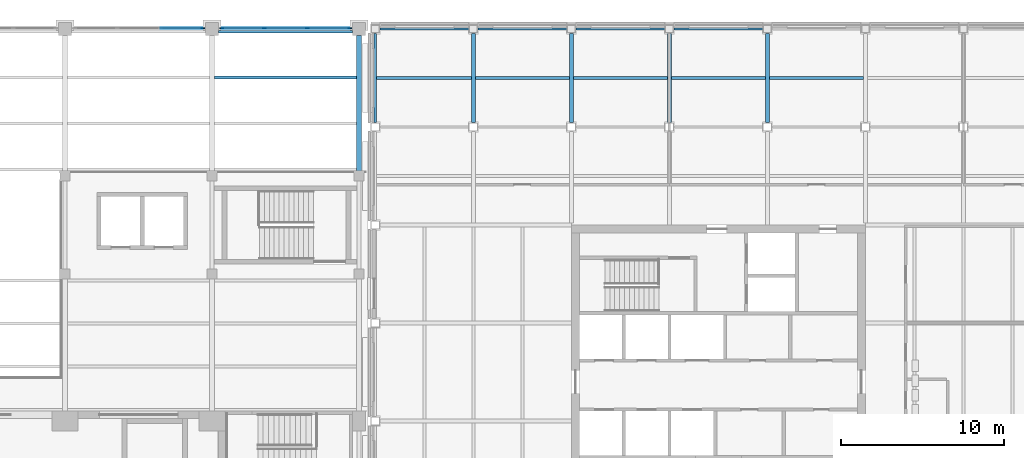
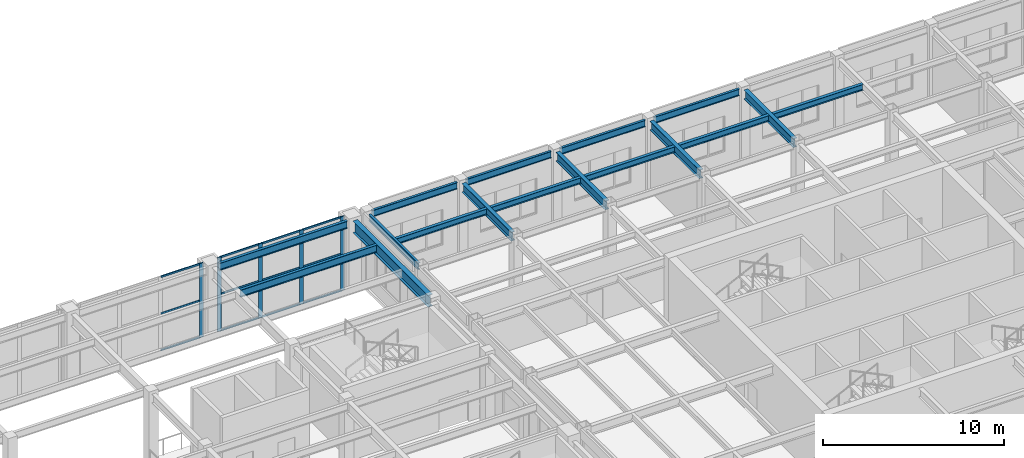
# One storey, part 26 of 76: 17 beams, 17 members, 2 elements without a shape of their own.
"""IFC4 building model written with IfcOpenShell, lengths in metres."""

from ifc_helpers import new_model, si_unit, direction, frame, origin, origin_2d, place, context, subcontext, project, spatial, rectangle, i_section, extrude, material, material_profile, profile_set, type_object, element, aggregate, save


model = new_model("IFC4")

# Units and contexts
model_context = context("Model", 3, precision=1e-05, world=origin(), true_north=direction((0.0, 1.0)))
body_context = subcontext(model_context, "Body", "Model", "MODEL_VIEW")
ifc_project = project(units=[si_unit("LENGTHUNIT", "METRE"), si_unit("AREAUNIT", "SQUARE_METRE"), si_unit("VOLUMEUNIT", "CUBIC_METRE"), si_unit("PLANEANGLEUNIT", "RADIAN"), si_unit("MASSUNIT", "GRAM", prefix="KILO")], contexts=[model_context])

# Site, building, storey
site_placement = place(None, origin())
site = spatial("IfcSite", under=ifc_project, at=site_placement, CompositionType="ELEMENT")
building_placement = place(site_placement, origin())
building = spatial("IfcBuilding", under=site, at=building_placement, Name="Aravalli Gate Trade Fair Centre", CompositionType="ELEMENT")
storey_placement = place(building_placement, frame((0.0, 0.0, 10.0)))
storey = spatial("IfcBuildingStorey", under=building, at=storey_placement, Name="L02", CompositionType="ELEMENT", Elevation=10.0)

# Curtain wall, member
ifc_material_1 = material(Name="Aluminium and glass", Category="aluminium")
curtain_wall_type = type_object("IfcCurtainWallType", Name="Curtain wall 3000 module, tall", PredefinedType="NOTDEFINED", material=ifc_material_1)
curtain_wall_1_placement = place(storey_placement, origin())
curtain_wall_1 = element("IfcCurtainWall", 1, at=curtain_wall_1_placement, inside=storey, type_object=curtain_wall_type, Name="Curtain wall north bay 17 L02", PredefinedType="NOTDEFINED")
ifc_material_2 = material(Name="Aluminium", Category="aluminium")
ifc_material_profile_1 = material_profile(ifc_material_2, rectangle(XDim=0.06005859375, YDim=0.25, at=origin_2d()), Name="Concourse curtain wall mullion 60 x 250")
ifc_profile_set_1 = profile_set([ifc_material_profile_1], Name="Aluminium")
member_type_1 = type_object("IfcMemberType", Name="Concourse curtain wall mullion 60 x 250", PredefinedType="MULLION", material=ifc_profile_set_1)
member_1_placement = place(storey_placement, frame((149.419921875, 133.044921875, 0.0), z_axis=(0.0, 0.0, 1.0), x_axis=(0.0, 1.0, 0.0)))
member_1 = element("IfcMember", 2, at=member_1_placement, type_object=member_type_1, Name="CW3 mullion 4", PredefinedType="MULLION", context=body_context, shape_type="SweptSolid", body=[
    extrude(rectangle(XDim=0.06005859375, YDim=0.25, at=origin_2d()), origin(), (0.0, 0.0, 1.0), 5.0),
])

# Curtain wall, members
curtain_wall_2_placement = place(storey_placement, origin())
curtain_wall_2 = element("IfcCurtainWall", 3, at=curtain_wall_2_placement, inside=storey, type_object=curtain_wall_type, Name="Curtain wall north bay 18 L02", PredefinedType="NOTDEFINED")
member_2_placement = place(storey_placement, frame((150.580078125, 133.044921875, 0.0), z_axis=(0.0, 0.0, 1.0), x_axis=(0.0, 1.0, 0.0)))
member_2 = element("IfcMember", 4, at=member_2_placement, type_object=member_type_1, Name="CW3 mullion 1", PredefinedType="MULLION", context=body_context, shape_type="SweptSolid", body=[
    extrude(rectangle(XDim=0.06005859375, YDim=0.25, at=origin_2d()), origin(), (0.0, 0.0, 1.0), 5.0),
])
member_3_placement = place(storey_placement, frame((153.183349609375, 133.044921875, 0.0), z_axis=(0.0, 0.0, 1.0), x_axis=(0.0, 1.0, 0.0)))
member_3 = element("IfcMember", 5, at=member_3_placement, type_object=member_type_1, Name="CW3 mullion 2", PredefinedType="MULLION", context=body_context, shape_type="SweptSolid", body=[
    extrude(rectangle(XDim=0.06005859375, YDim=0.25, at=origin_2d()), origin(), (0.0, 0.0, 1.0), 5.0),
])
member_4_placement = place(storey_placement, frame((155.816650390625, 133.044921875, 0.0), z_axis=(0.0, 0.0, 1.0), x_axis=(0.0, 1.0, 0.0)))
member_4 = element("IfcMember", 6, at=member_4_placement, type_object=member_type_1, Name="CW3 mullion 3", PredefinedType="MULLION", context=body_context, shape_type="SweptSolid", body=[
    extrude(rectangle(XDim=0.06005859375, YDim=0.25, at=origin_2d()), origin(), (0.0, 0.0, 1.0), 5.0),
])
member_5_placement = place(storey_placement, frame((158.419921875, 133.044921875, 0.0), z_axis=(0.0, 0.0, 1.0), x_axis=(0.0, 1.0, 0.0)))
member_5 = element("IfcMember", 7, at=member_5_placement, type_object=member_type_1, Name="CW3 mullion 4", PredefinedType="MULLION", context=body_context, shape_type="SweptSolid", body=[
    extrude(rectangle(XDim=0.06005859375, YDim=0.25, at=origin_2d()), origin(), (0.0, 0.0, 1.0), 5.0),
])

# Member
ifc_material_profile_2 = material_profile(ifc_material_2, rectangle(XDim=0.06005859375, YDim=0.1201171875, at=origin_2d()), Name="Concourse curtain wall transom 60 x 120")
ifc_profile_set_2 = profile_set([ifc_material_profile_2], Name="Aluminium")
member_type_2 = type_object("IfcMemberType", Name="Concourse curtain wall transom 60 x 120", PredefinedType="USERDEFINED", material=ifc_profile_set_2)
member_6_placement = place(storey_placement, frame((146.8466796875, 133.044921875, 0.030029296875), z_axis=(1.0, 0.0, 0.0), x_axis=(0.0, 1.0, 0.0)))
member_6 = element("IfcMember", 8, at=member_6_placement, type_object=member_type_2, Name="CW3 transom 3.1", ObjectType="TRANSOM", PredefinedType="USERDEFINED", context=body_context, shape_type="SweptSolid", body=[
    extrude(rectangle(XDim=0.06005859375, YDim=0.1201171875, at=origin_2d()), origin(), (0.0, 0.0, 1.0), 2.543212890625),
])

member_7_placement = place(storey_placement, frame((146.8466796875, 133.044921875, 2.5), z_axis=(1.0, 0.0, 0.0), x_axis=(0.0, 1.0, 0.0)))
member_7 = element("IfcMember", 9, at=member_7_placement, type_object=member_type_2, Name="CW3 transom 3.2", ObjectType="TRANSOM", PredefinedType="USERDEFINED", context=body_context, shape_type="SweptSolid", body=[
    extrude(rectangle(XDim=0.06005859375, YDim=0.1201171875, at=origin_2d()), origin(), (0.0, 0.0, 1.0), 2.543212890625),
])

member_8_placement = place(storey_placement, frame((146.8466796875, 133.044921875, 4.969970703125), z_axis=(1.0, 0.0, 0.0), x_axis=(0.0, 1.0, 0.0)))
member_8 = element("IfcMember", 10, at=member_8_placement, type_object=member_type_2, Name="CW3 transom 3.3", ObjectType="TRANSOM", PredefinedType="USERDEFINED", context=body_context, shape_type="SweptSolid", body=[
    extrude(rectangle(XDim=0.06005859375, YDim=0.1201171875, at=origin_2d()), origin(), (0.0, 0.0, 1.0), 2.543212890625),
])

aggregate(curtain_wall_1, [member_1, member_6, member_7, member_8])

member_9_placement = place(storey_placement, frame((150.610107421875, 133.044921875, 0.030029296875), z_axis=(1.0, 0.0, 0.0), x_axis=(0.0, 1.0, 0.0)))
member_9 = element("IfcMember", 11, at=member_9_placement, type_object=member_type_2, Name="CW3 transom 1.1", ObjectType="TRANSOM", PredefinedType="USERDEFINED", context=body_context, shape_type="SweptSolid", body=[
    extrude(rectangle(XDim=0.06005859375, YDim=0.1201171875, at=origin_2d()), origin(), (0.0, 0.0, 1.0), 2.543212890625),
])

member_10_placement = place(storey_placement, frame((150.610107421875, 133.044921875, 2.5), z_axis=(1.0, 0.0, 0.0), x_axis=(0.0, 1.0, 0.0)))
member_10 = element("IfcMember", 12, at=member_10_placement, type_object=member_type_2, Name="CW3 transom 1.2", ObjectType="TRANSOM", PredefinedType="USERDEFINED", context=body_context, shape_type="SweptSolid", body=[
    extrude(rectangle(XDim=0.06005859375, YDim=0.1201171875, at=origin_2d()), origin(), (0.0, 0.0, 1.0), 2.543212890625),
])

member_11_placement = place(storey_placement, frame((150.610107421875, 133.044921875, 4.969970703125), z_axis=(1.0, 0.0, 0.0), x_axis=(0.0, 1.0, 0.0)))
member_11 = element("IfcMember", 13, at=member_11_placement, type_object=member_type_2, Name="CW3 transom 1.3", ObjectType="TRANSOM", PredefinedType="USERDEFINED", context=body_context, shape_type="SweptSolid", body=[
    extrude(rectangle(XDim=0.06005859375, YDim=0.1201171875, at=origin_2d()), origin(), (0.0, 0.0, 1.0), 2.543212890625),
])

member_12_placement = place(storey_placement, frame((153.21337890625, 133.044921875, 0.030029296875), z_axis=(1.0, 0.0, 0.0), x_axis=(0.0, 1.0, 0.0)))
member_12 = element("IfcMember", 14, at=member_12_placement, type_object=member_type_2, Name="CW3 transom 2.1", ObjectType="TRANSOM", PredefinedType="USERDEFINED", context=body_context, shape_type="SweptSolid", body=[
    extrude(rectangle(XDim=0.06005859375, YDim=0.1201171875, at=origin_2d()), origin(), (0.0, 0.0, 1.0), 2.5732421875),
])

member_13_placement = place(storey_placement, frame((153.21337890625, 133.044921875, 2.5), z_axis=(1.0, 0.0, 0.0), x_axis=(0.0, 1.0, 0.0)))
member_13 = element("IfcMember", 15, at=member_13_placement, type_object=member_type_2, Name="CW3 transom 2.2", ObjectType="TRANSOM", PredefinedType="USERDEFINED", context=body_context, shape_type="SweptSolid", body=[
    extrude(rectangle(XDim=0.06005859375, YDim=0.1201171875, at=origin_2d()), origin(), (0.0, 0.0, 1.0), 2.5732421875),
])

member_14_placement = place(storey_placement, frame((153.21337890625, 133.044921875, 4.969970703125), z_axis=(1.0, 0.0, 0.0), x_axis=(0.0, 1.0, 0.0)))
member_14 = element("IfcMember", 16, at=member_14_placement, type_object=member_type_2, Name="CW3 transom 2.3", ObjectType="TRANSOM", PredefinedType="USERDEFINED", context=body_context, shape_type="SweptSolid", body=[
    extrude(rectangle(XDim=0.06005859375, YDim=0.1201171875, at=origin_2d()), origin(), (0.0, 0.0, 1.0), 2.5732421875),
])

member_15_placement = place(storey_placement, frame((155.8466796875, 133.044921875, 0.030029296875), z_axis=(1.0, 0.0, 0.0), x_axis=(0.0, 1.0, 0.0)))
member_15 = element("IfcMember", 17, at=member_15_placement, type_object=member_type_2, Name="CW3 transom 3.1", ObjectType="TRANSOM", PredefinedType="USERDEFINED", context=body_context, shape_type="SweptSolid", body=[
    extrude(rectangle(XDim=0.06005859375, YDim=0.1201171875, at=origin_2d()), origin(), (0.0, 0.0, 1.0), 2.543212890625),
])

member_16_placement = place(storey_placement, frame((155.8466796875, 133.044921875, 2.5), z_axis=(1.0, 0.0, 0.0), x_axis=(0.0, 1.0, 0.0)))
member_16 = element("IfcMember", 18, at=member_16_placement, type_object=member_type_2, Name="CW3 transom 3.2", ObjectType="TRANSOM", PredefinedType="USERDEFINED", context=body_context, shape_type="SweptSolid", body=[
    extrude(rectangle(XDim=0.06005859375, YDim=0.1201171875, at=origin_2d()), origin(), (0.0, 0.0, 1.0), 2.543212890625),
])

member_17_placement = place(storey_placement, frame((155.8466796875, 133.044921875, 4.969970703125), z_axis=(1.0, 0.0, 0.0), x_axis=(0.0, 1.0, 0.0)))
member_17 = element("IfcMember", 19, at=member_17_placement, type_object=member_type_2, Name="CW3 transom 3.3", ObjectType="TRANSOM", PredefinedType="USERDEFINED", context=body_context, shape_type="SweptSolid", body=[
    extrude(rectangle(XDim=0.06005859375, YDim=0.1201171875, at=origin_2d()), origin(), (0.0, 0.0, 1.0), 2.543212890625),
])

aggregate(curtain_wall_2, [member_2, member_3, member_4, member_5, member_9, member_10, member_11, member_12, member_13, member_14, member_15, member_16, member_17])

# Beams
ifc_material_3 = material(Name="Steel E350", Category="steel")
ifc_material_profile_3 = material_profile(ifc_material_3, i_section(OverallWidth=0.179931640625, OverallDepth=0.5, WebThickness=0.01025390625, FlangeThickness=0.01708984375, at=origin_2d()), Name="ISMB 500")
ifc_profile_set_3 = profile_set([ifc_material_profile_3], Name="Steel E350")
beam_type_1 = type_object("IfcBeamType", Name="ISMB 500 gallery secondary beam", PredefinedType="JOIST", material=ifc_profile_set_3)
beam_1_placement = place(storey_placement, frame((150.14990234375, 130.0166015625, 4.550048828125), z_axis=(1.0, 0.0, 0.0), x_axis=(0.0, 1.0, 0.0)))
element("IfcBeam", 20, at=beam_1_placement, inside=storey, type_object=beam_type_1, Name="Gallery beam N6 17-E L03", PredefinedType="JOIST", context=body_context, shape_type="SweptSolid", body=[
    extrude(i_section(OverallWidth=0.179931640625, OverallDepth=0.5, WebThickness=0.01025390625, FlangeThickness=0.01708984375, at=origin_2d()), origin(), (0.0, 0.0, 1.0), 8.7001953125),
])
beam_2_placement = place(storey_placement, frame((150.39990234375, 132.830078125, 4.550048828125), z_axis=(1.0, 0.0, 0.0), x_axis=(0.0, 1.0, 0.0)))
element("IfcBeam", 21, at=beam_2_placement, inside=storey, type_object=beam_type_1, Name="Gallery beam N7 17-E L03", PredefinedType="JOIST", context=body_context, shape_type="SweptSolid", body=[
    extrude(i_section(OverallWidth=0.179931640625, OverallDepth=0.5, WebThickness=0.01025390625, FlangeThickness=0.01708984375, at=origin_2d()), origin(), (0.0, 0.0, 1.0), 8.2001953125),
])
ifc_material_profile_4 = material_profile(ifc_material_3, i_section(OverallWidth=0.300048828125, OverallDepth=0.800048828125, WebThickness=0.011962890625, FlangeThickness=0.02490234375, at=origin_2d()), Name="PG 800x300x12x25")
ifc_profile_set_4 = profile_set([ifc_material_profile_4], Name="Steel E350")
beam_type_2 = type_object("IfcBeamType", Name="PG 800x300x12x25 gallery plate girder", PredefinedType="BEAM", material=ifc_profile_set_4)
beam_3_placement = place(storey_placement, frame((159.0, 124.300048828125, 4.39990234375), z_axis=(0.0, 1.0, 0.0), x_axis=(-1.0, 0.0, 0.0)))
element("IfcBeam", 22, at=beam_3_placement, inside=storey, type_object=beam_type_2, Name="Gallery girder NE L03", PredefinedType="BEAM", context=body_context, shape_type="SweptSolid", body=[
    extrude(i_section(OverallWidth=0.300048828125, OverallDepth=0.800048828125, WebThickness=0.011962890625, FlangeThickness=0.02490234375, at=origin_2d()), origin(), (0.0, 0.0, 1.0), 8.300048828125),
])
ifc_material_profile_5 = material_profile(ifc_material_3, i_section(OverallWidth=0.25, OverallDepth=0.60009765625, WebThickness=0.01123046875, FlangeThickness=0.021240234375, at=origin_2d()), Name="ISWB 600")
ifc_profile_set_5 = profile_set([ifc_material_profile_5], Name="Steel E350")
beam_type_3 = type_object("IfcBeamType", Name="Wing core to perimeter girder ISWB 600 (podium floors)", PredefinedType="BEAM", material=ifc_profile_set_5)
for number, where, z_axis, x_axis, name in (
    (23, (172.0, 127.27490234375, 4.5), (0.0, 1.0, 0.0), (-1.0, 0.0, 0.0), "Core to perimeter girder PN0b L03"),
    (24, (178.0, 127.27490234375, 4.5), (0.0, 1.0, 0.0), (-1.0, 0.0, 0.0), "Core to perimeter girder PN1b L03"),
    (25, (184.0, 127.27490234375, 4.5), (0.0, 1.0, 0.0), (-1.0, 0.0, 0.0), "Core to perimeter girder PN2b L03"),
):
    element("IfcBeam", number, at=place(storey_placement, frame(where, z_axis=z_axis, x_axis=x_axis)), inside=storey, type_object=beam_type_3, Name=name, PredefinedType="BEAM", context=body_context, shape_type="SweptSolid", body=[
        extrude(i_section(OverallWidth=0.25, OverallDepth=0.60009765625, WebThickness=0.01123046875, FlangeThickness=0.021240234375, at=origin_2d()), origin(), (0.0, 0.0, 1.0), 5.4501953125),
    ])
ifc_material_profile_6 = material_profile(ifc_material_3, i_section(OverallWidth=0.25, OverallDepth=0.60009765625, WebThickness=0.01123046875, FlangeThickness=0.021240234375, at=origin_2d()), Name="ISWB 600")
ifc_profile_set_6 = profile_set([ifc_material_profile_6], Name="Steel E350")
beam_type_4 = type_object("IfcBeamType", Name="Wing corner transfer girder ISWB 600 (podium floors)", PredefinedType="BEAM", material=ifc_profile_set_6)
beam_4_placement = place(storey_placement, frame((166.0, 127.27490234375, 4.5), z_axis=(0.0, 1.0, 0.0), x_axis=(-1.0, 0.0, 0.0)))
element("IfcBeam", 26, at=beam_4_placement, inside=storey, type_object=beam_type_4, Name="Corner transfer girder CNWyb L03", PredefinedType="BEAM", context=body_context, shape_type="SweptSolid", body=[
    extrude(i_section(OverallWidth=0.25, OverallDepth=0.60009765625, WebThickness=0.01123046875, FlangeThickness=0.021240234375, at=origin_2d()), origin(), (0.0, 0.0, 1.0), 5.4501953125),
])
ifc_material_profile_7 = material_profile(ifc_material_3, i_section(OverallWidth=0.14990234375, OverallDepth=0.449951171875, WebThickness=0.009521484375, FlangeThickness=0.017333984375, at=origin_2d()), Name="ISMB 450")
ifc_profile_set_7 = profile_set([ifc_material_profile_7], Name="Steel E350")
beam_type_5 = type_object("IfcBeamType", Name="Wing perimeter beam ISMB 450 (podium floors)", PredefinedType="BEAM", material=ifc_profile_set_7)
for number, where, z_axis, x_axis, name in (
    (27, (160.27490234375, 133.0, 4.574951171875), (1.0, 0.0, 0.0), (0.0, 1.0, 0.0), "Perimeter beam EN0 L03"),
    (28, (166.27490234375, 133.0, 4.574951171875), (1.0, 0.0, 0.0), (0.0, 1.0, 0.0), "Perimeter beam EN1 L03"),
    (29, (172.27490234375, 133.0, 4.574951171875), (1.0, 0.0, 0.0), (0.0, 1.0, 0.0), "Perimeter beam EN2 L03"),
    (30, (178.27490234375, 133.0, 4.574951171875), (1.0, 0.0, 0.0), (0.0, 1.0, 0.0), "Perimeter beam EN3 L03"),
    (31, (160.0, 127.27490234375, 4.574951171875), (0.0, 1.0, 0.0), (-1.0, 0.0, 0.0), "Perimeter beam EW6 L03"),
):
    element("IfcBeam", number, at=place(storey_placement, frame(where, z_axis=z_axis, x_axis=x_axis)), inside=storey, type_object=beam_type_5, Name=name, PredefinedType="BEAM", context=body_context, shape_type="SweptSolid", body=[
        extrude(i_section(OverallWidth=0.14990234375, OverallDepth=0.449951171875, WebThickness=0.009521484375, FlangeThickness=0.017333984375, at=origin_2d()), origin(), (0.0, 0.0, 1.0), 5.4501953125),
    ])
ifc_material_profile_8 = material_profile(ifc_material_3, i_section(OverallWidth=0.199951171875, OverallDepth=0.39990234375, WebThickness=0.008544921875, FlangeThickness=0.012939453125, at=origin_2d()), Name="ISWB 400")
ifc_profile_set_8 = profile_set([ifc_material_profile_8], Name="Steel E350")
beam_type_6 = type_object("IfcBeamType", Name="Wing secondary beam ISWB 400 (podium floors)", PredefinedType="BEAM", material=ifc_profile_set_8)
beam_5_placement = place(storey_placement, frame((160.074951171875, 130.0, 4.60009765625), z_axis=(1.0, 0.0, 0.0), x_axis=(0.0, 1.0, 0.0)))
element("IfcBeam", 32, at=beam_5_placement, inside=storey, type_object=beam_type_6, Name="Secondary beam KWN10 L03", PredefinedType="BEAM", context=body_context, shape_type="SweptSolid", body=[
    extrude(i_section(OverallWidth=0.199951171875, OverallDepth=0.39990234375, WebThickness=0.008544921875, FlangeThickness=0.012939453125, at=origin_2d()), origin(), (0.0, 0.0, 1.0), 5.800048828125),
])
for number, where, z_axis, x_axis, name in (
    (33, (166.125, 130.0, 4.60009765625), (1.0, 0.0, 0.0), (0.0, 1.0, 0.0), "Secondary beam KWN11 L03"),
    (34, (172.125, 130.0, 4.60009765625), (1.0, 0.0, 0.0), (0.0, 1.0, 0.0), "Secondary beam BN0130 L03"),
    (35, (178.125, 130.0, 4.60009765625), (1.0, 0.0, 0.0), (0.0, 1.0, 0.0), "Secondary beam BN1130 L03"),
    (36, (184.125, 130.0, 4.60009765625), (1.0, 0.0, 0.0), (0.0, 1.0, 0.0), "Secondary beam BN2130 L03"),
):
    element("IfcBeam", number, at=place(storey_placement, frame(where, z_axis=z_axis, x_axis=x_axis)), inside=storey, type_object=beam_type_6, Name=name, PredefinedType="BEAM", context=body_context, shape_type="SweptSolid", body=[
        extrude(i_section(OverallWidth=0.199951171875, OverallDepth=0.39990234375, WebThickness=0.008544921875, FlangeThickness=0.012939453125, at=origin_2d()), origin(), (0.0, 0.0, 1.0), 5.75),
    ])

save(model, "model.ifc")
